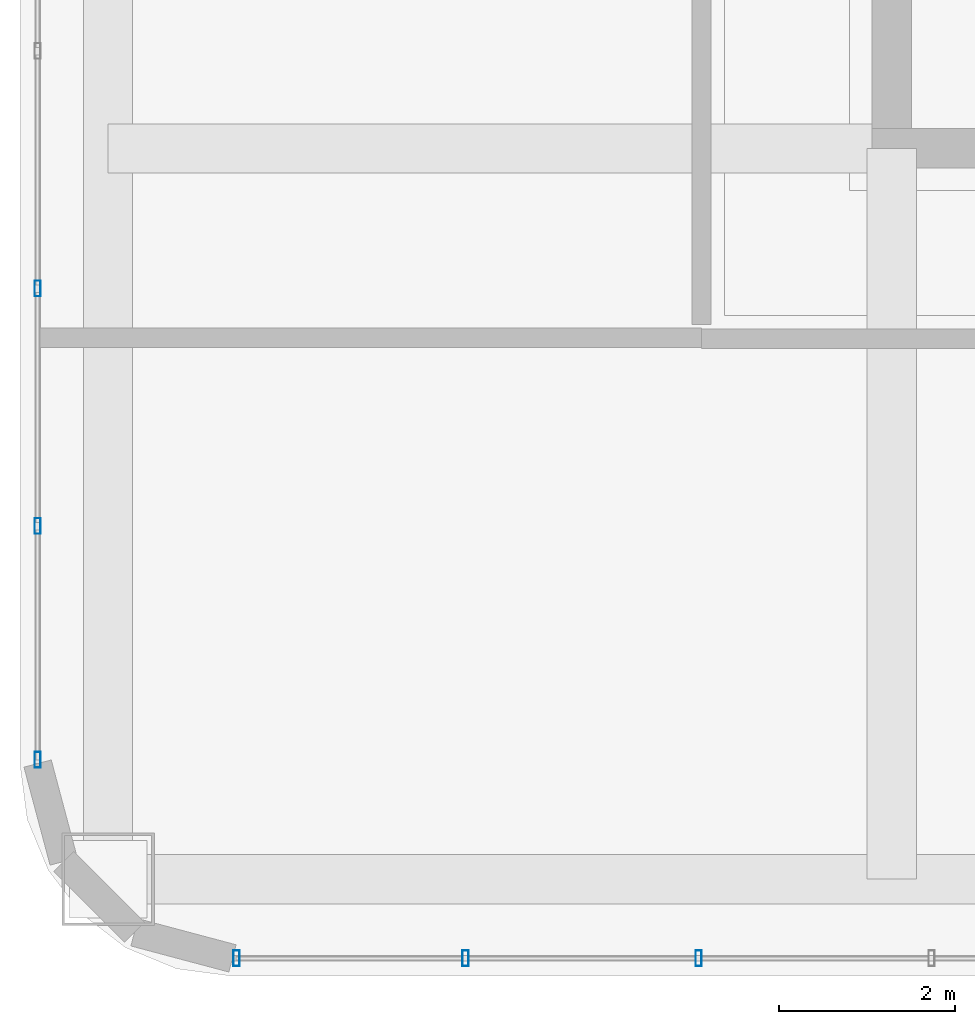
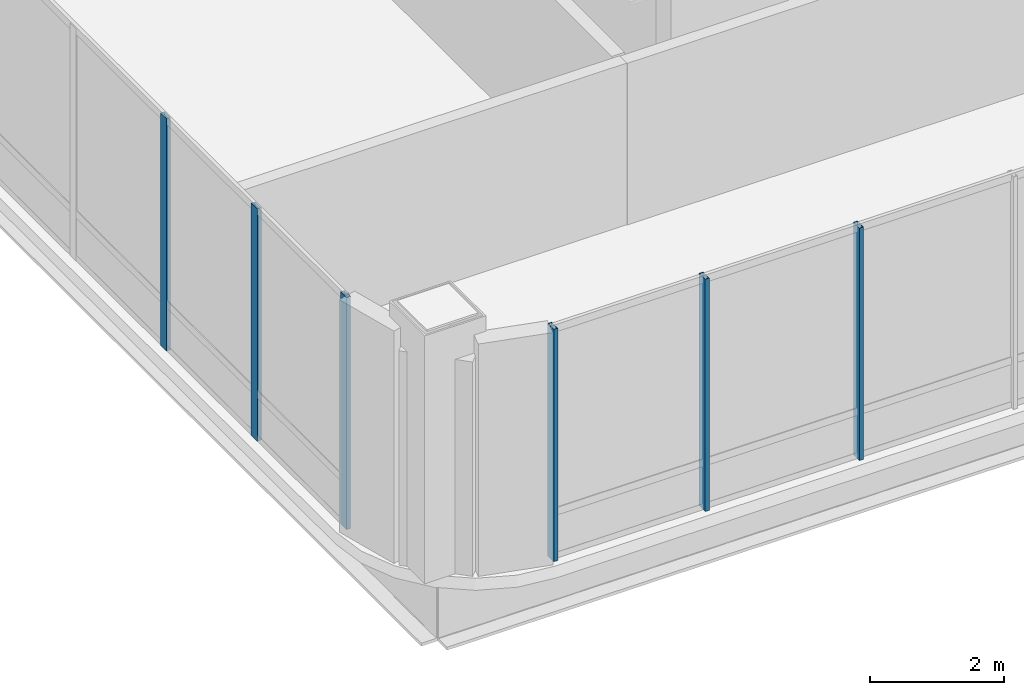
# One storey, part 2 of 33: 6 members, 2 elements without a shape of their own.
"""IFC4 building model written with IfcOpenShell, lengths in metres."""

from ifc_helpers import new_model, si_unit, direction, frame, origin, origin_2d, place, context, subcontext, project, spatial, hollow_rectangle, extrude, material, material_profile, profile_set, type_object, element, aggregate, save


model = new_model("IFC4")

# Units and contexts
model_context = context("Model", 3, precision=1e-05, world=origin(), true_north=direction((0.0, 1.0)))
body_context = subcontext(model_context, "Body", "Model", "MODEL_VIEW")
ifc_project = project(units=[si_unit("LENGTHUNIT", "METRE"), si_unit("AREAUNIT", "SQUARE_METRE"), si_unit("VOLUMEUNIT", "CUBIC_METRE"), si_unit("PLANEANGLEUNIT", "RADIAN"), si_unit("MASSUNIT", "GRAM", prefix="KILO")], contexts=[model_context])

# Site, building, storey
site_placement = place(None, origin())
site = spatial("IfcSite", under=ifc_project, at=site_placement, CompositionType="ELEMENT")
building_placement = place(site_placement, origin())
building = spatial("IfcBuilding", under=site, at=building_placement, Name="Punatoya Terracotta Tower", CompositionType="ELEMENT")
storey_placement = place(building_placement, frame((0.0, 0.0, 348.300048828125)))
storey = spatial("IfcBuildingStorey", under=building, at=storey_placement, Name="L82", CompositionType="ELEMENT", Elevation=348.300048828125)

# Curtain wall, members
ifc_material_1 = material(Name="Aluminium 6063-T6 + Double Low-E Glass", Category="aluminium")
curtain_wall_type = type_object("IfcCurtainWallType", Name="CW-CRN", PredefinedType="NOTDEFINED", material=ifc_material_1)
curtain_wall_1_placement = place(storey_placement, origin())
curtain_wall_1 = element("IfcCurtainWall", 1, at=curtain_wall_1_placement, inside=storey, type_object=curtain_wall_type, Name="L82 Curtain Wall CW-L82-S01-1", PredefinedType="NOTDEFINED")
ifc_material_2 = material(Name="Aluminium 6063-T6", Category="aluminium")
ifc_material_profile = material_profile(ifc_material_2, hollow_rectangle(XDim=0.070068359375, YDim=0.179931640625, WallThickness=0.00390625, at=origin_2d()))
ifc_profile_set = profile_set([ifc_material_profile], Name="Aluminium 6063-T6")
member_type = type_object("IfcMemberType", Name="CW-MUL-M3", PredefinedType="MULLION", material=ifc_profile_set)
member_1_placement = place(storey_placement, frame((-17.641845703125, -18.39990234375, 0.0), z_axis=(0.0, 0.0, 1.0), x_axis=(1.0, 0.0, 0.0)))
member_1 = element("IfcMember", 2, at=member_1_placement, type_object=member_type, Name="CW-L82-S01-1 Mullion 00", PredefinedType="MULLION", context=body_context, shape_type="SweptSolid", body=[
    extrude(hollow_rectangle(XDim=0.070068359375, YDim=0.179931640625, WallThickness=0.00390625, at=origin_2d()), origin(), (0.0, 0.0, 1.0), 4.219970703125),
])
member_2_placement = place(storey_placement, frame((-15.03955078125, -18.39990234375, 0.0), z_axis=(0.0, 0.0, 1.0), x_axis=(1.0, 0.0, 0.0)))
member_2 = element("IfcMember", 3, at=member_2_placement, type_object=member_type, Name="CW-L82-S01-1 Mullion 01", PredefinedType="MULLION", context=body_context, shape_type="SweptSolid", body=[
    extrude(hollow_rectangle(XDim=0.070068359375, YDim=0.179931640625, WallThickness=0.00390625, at=origin_2d()), origin(), (0.0, 0.0, 1.0), 4.219970703125),
])
member_3_placement = place(storey_placement, frame((-12.39208984375, -18.39990234375, 0.0), z_axis=(0.0, 0.0, 1.0), x_axis=(1.0, 0.0, 0.0)))
member_3 = element("IfcMember", 4, at=member_3_placement, type_object=member_type, Name="CW-L82-S01-1 Mullion 02", PredefinedType="MULLION", context=body_context, shape_type="SweptSolid", body=[
    extrude(hollow_rectangle(XDim=0.070068359375, YDim=0.179931640625, WallThickness=0.00390625, at=origin_2d()), origin(), (0.0, 0.0, 1.0), 4.219970703125),
])
aggregate(curtain_wall_1, [member_1, member_2, member_3])

curtain_wall_2_placement = place(storey_placement, origin())
curtain_wall_2 = element("IfcCurtainWall", 5, at=curtain_wall_2_placement, inside=storey, type_object=curtain_wall_type, Name="L82 Curtain Wall CW-L82-W13-1", PredefinedType="NOTDEFINED")
member_4_placement = place(storey_placement, frame((-19.89990234375, -10.791259765625, 0.0), z_axis=(0.0, 0.0, 1.0), x_axis=(1.0, 0.0, 0.0)))
member_4 = element("IfcMember", 6, at=member_4_placement, type_object=member_type, Name="CW-L82-W13-1 Mullion 10", PredefinedType="MULLION", context=body_context, shape_type="SweptSolid", body=[
    extrude(hollow_rectangle(XDim=0.070068359375, YDim=0.179931640625, WallThickness=0.00390625, at=origin_2d()), origin(), (0.0, 0.0, 1.0), 4.219970703125),
])
member_5_placement = place(storey_placement, frame((-19.89990234375, -13.489013671875, 0.0), z_axis=(0.0, 0.0, 1.0), x_axis=(1.0, 0.0, 0.0)))
member_5 = element("IfcMember", 7, at=member_5_placement, type_object=member_type, Name="CW-L82-W13-1 Mullion 11", PredefinedType="MULLION", context=body_context, shape_type="SweptSolid", body=[
    extrude(hollow_rectangle(XDim=0.070068359375, YDim=0.179931640625, WallThickness=0.00390625, at=origin_2d()), origin(), (0.0, 0.0, 1.0), 4.219970703125),
])
member_6_placement = place(storey_placement, frame((-19.89990234375, -16.141845703125, 0.0), z_axis=(0.0, 0.0, 1.0), x_axis=(1.0, 0.0, 0.0)))
member_6 = element("IfcMember", 8, at=member_6_placement, type_object=member_type, Name="CW-L82-W13-1 Mullion 12", PredefinedType="MULLION", context=body_context, shape_type="SweptSolid", body=[
    extrude(hollow_rectangle(XDim=0.070068359375, YDim=0.179931640625, WallThickness=0.00390625, at=origin_2d()), origin(), (0.0, 0.0, 1.0), 4.219970703125),
])
aggregate(curtain_wall_2, [member_4, member_5, member_6])

save(model, "model.ifc")
